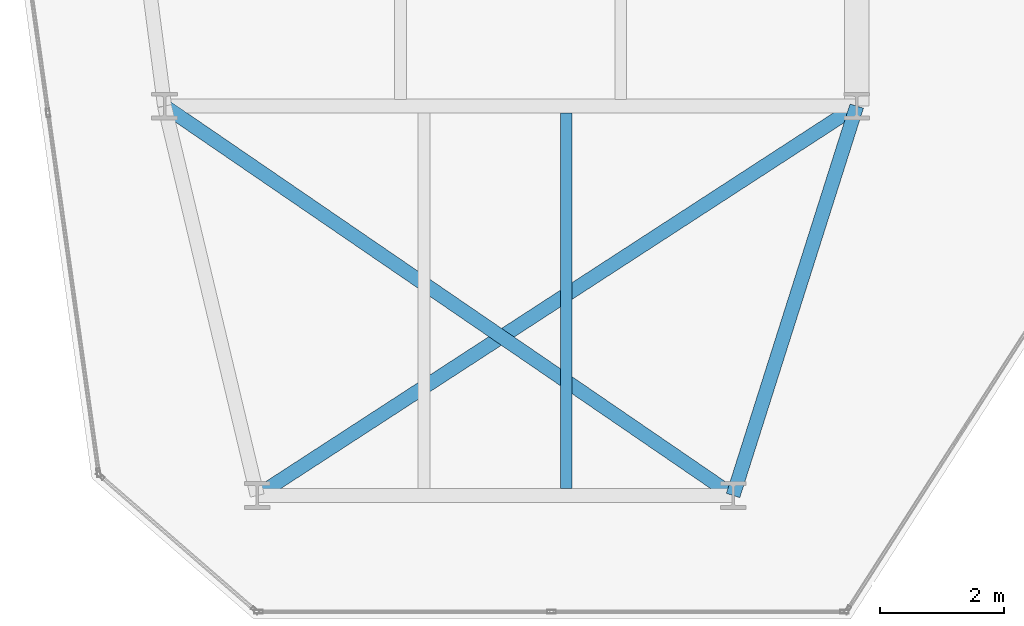
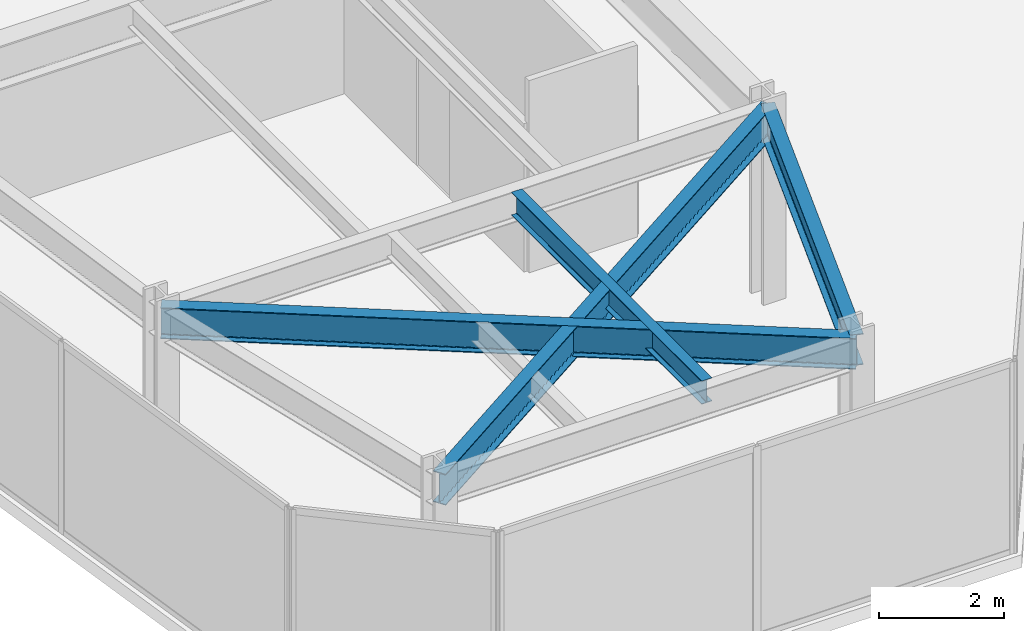
# One storey, part 4 of 26: 4 beams.
"""IFC4 building model written with IfcOpenShell, lengths in metres."""

from ifc_helpers import new_model, si_unit, direction, frame, origin, origin_2d, place, context, subcontext, project, spatial, i_section, extrude, material, material_profile, profile_set, type_object, element, save


model = new_model("IFC4")

# Units and contexts
model_context = context("Model", 3, precision=1e-05, world=origin(), true_north=direction((0.0, 1.0)))
body_context = subcontext(model_context, "Body", "Model", "MODEL_VIEW")
ifc_project = project(units=[si_unit("LENGTHUNIT", "METRE"), si_unit("AREAUNIT", "SQUARE_METRE"), si_unit("VOLUMEUNIT", "CUBIC_METRE"), si_unit("PLANEANGLEUNIT", "RADIAN"), si_unit("MASSUNIT", "GRAM", prefix="KILO")], contexts=[model_context])

# Site, building, storey
site_placement = place(None, origin())
site = spatial("IfcSite", under=ifc_project, at=site_placement, CompositionType="ELEMENT")
building_placement = place(site_placement, origin())
building = spatial("IfcBuilding", under=site, at=building_placement, Name="Kravanh Interchange Tower", CompositionType="ELEMENT")
storey_placement = place(building_placement, frame((0.0, 0.0, 136.0)))
storey = spatial("IfcBuildingStorey", under=building, at=storey_placement, Name="L32", CompositionType="ELEMENT", Elevation=136.0)

# Beams
ifc_material_1 = material(Name="Structural Steel S355", Category="steel")
ifc_material_profile_1 = material_profile(ifc_material_1, i_section(OverallWidth=0.18994140625, OverallDepth=0.45703125, WebThickness=0.009033203125, FlangeThickness=0.014404296875, FilletRadius=0.01806640625, at=origin_2d()), Name="W18X50")
ifc_profile_set_1 = profile_set([ifc_material_profile_1], Name="Structural Steel S355")
beam_type_1 = type_object("IfcBeamType", Name="Floor Joist W18X50 Structural Steel S355", PredefinedType="JOIST", material=ifc_profile_set_1)
beam_1_placement = place(storey_placement, frame((22.501953125, 8.30908203125, 3.521484375), z_axis=(0.0, 1.0, 0.0), x_axis=(-1.0, 0.0, 0.0)))
element("IfcBeam", 1, at=beam_1_placement, inside=storey, type_object=beam_type_1, Name="L32 Secondary Floor Joist 2", PredefinedType="JOIST", context=body_context, shape_type="SweptSolid", body=[
    extrude(i_section(OverallWidth=0.18994140625, OverallDepth=0.45703125, WebThickness=0.009033203125, FlangeThickness=0.014404296875, FilletRadius=0.01806640625, at=origin_2d()), origin(), (0.0, 0.0, 1.0), 6.08203125),
])
ifc_material_2 = material(Name="Structural Steel S355", Category="steel")
ifc_material_profile_2 = material_profile(ifc_material_2, i_section(OverallWidth=0.22802734375, OverallDepth=0.60791015625, WebThickness=0.01123046875, FlangeThickness=0.017333984375, FilletRadius=0.02197265625, at=origin_2d()), Name="W24X76")
ifc_profile_set_2 = profile_set([ifc_material_profile_2], Name="Structural Steel S355")
beam_type_2 = type_object("IfcBeamType", Name="Floor Spandrel W24X76 Structural Steel S355", PredefinedType="SPANDREL", material=ifc_profile_set_2)
beam_2_placement = place(storey_placement, frame((17.5, 8.199951171875, 3.446044921875), z_axis=(0.838637911458, 0.544689318295, 0.0), x_axis=(-0.544689318295, 0.838637911458, 0.0)))
element("IfcBeam", 2, at=beam_2_placement, inside=storey, type_object=beam_type_2, Name="L32 Perimeter Spandrel 36", PredefinedType="SPANDREL", context=body_context, shape_type="SweptSolid", body=[
    extrude(i_section(OverallWidth=0.22802734375, OverallDepth=0.60791015625, WebThickness=0.01123046875, FlangeThickness=0.017333984375, FilletRadius=0.02197265625, at=origin_2d()), origin(), (0.0, 0.0, 1.0), 11.56640625),
])
beam_3_placement = place(storey_placement, frame((25.199951171875, 8.199951171875, 3.446044921875), z_axis=(0.30257700201, 0.953124943465, 0.0), x_axis=(-0.953124943465, 0.30257700201, 0.0)))
element("IfcBeam", 3, at=beam_3_placement, inside=storey, type_object=beam_type_2, Name="L32 Perimeter Spandrel 76", PredefinedType="SPANDREL", context=body_context, shape_type="SweptSolid", body=[
    extrude(i_section(OverallWidth=0.22802734375, OverallDepth=0.60791015625, WebThickness=0.01123046875, FlangeThickness=0.017333984375, FilletRadius=0.02197265625, at=origin_2d()), origin(), (0.0, 0.0, 1.0), 6.60986328125),
])
beam_4_placement = place(storey_placement, frame((25.199951171875, 8.199951171875, 3.446044921875), z_axis=(-0.825083781107, 0.565010401811, 0.0), x_axis=(-0.565010401811, -0.825083781107, 0.0)))
element("IfcBeam", 4, at=beam_4_placement, inside=storey, type_object=beam_type_2, Name="L32 Perimeter Spandrel 77", PredefinedType="SPANDREL", context=body_context, shape_type="SweptSolid", body=[
    extrude(i_section(OverallWidth=0.22802734375, OverallDepth=0.60791015625, WebThickness=0.01123046875, FlangeThickness=0.017333984375, FilletRadius=0.02197265625, at=origin_2d()), origin(), (0.0, 0.0, 1.0), 11.150390625),
])

save(model, "model.ifc")
